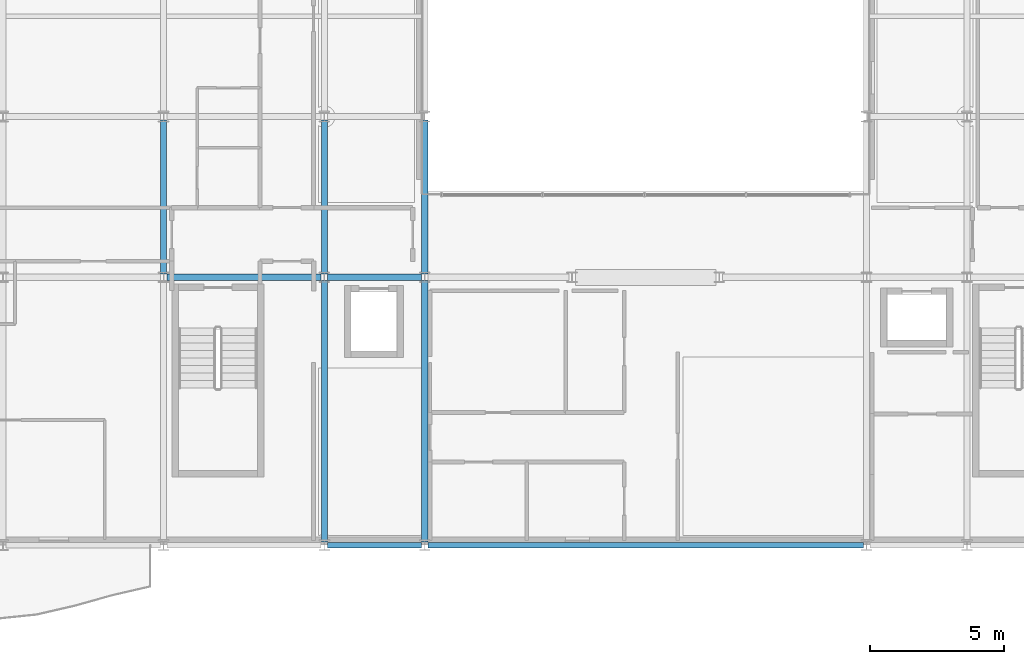
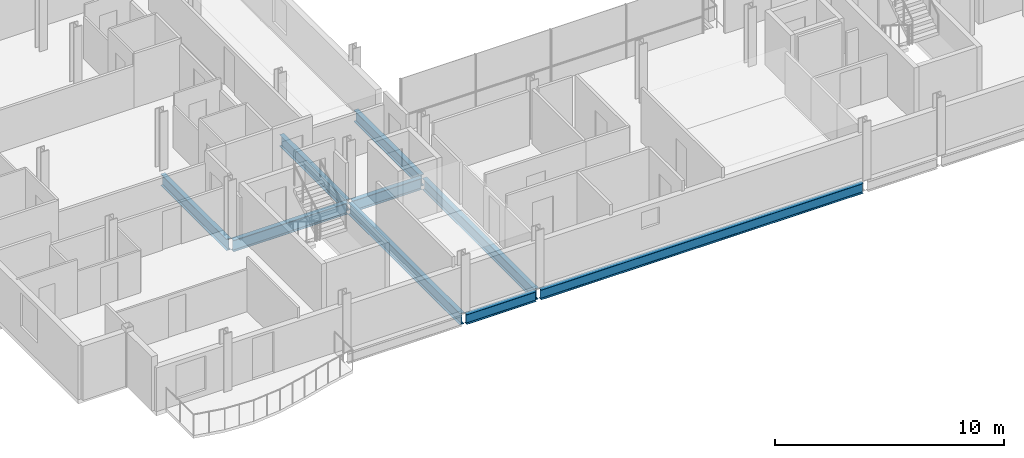
# One storey, part 5 of 41: 9 beams.
"""IFC4 building model written with IfcOpenShell, lengths in metres."""

from ifc_helpers import new_model, si_unit, direction, frame, origin, origin_2d, place, context, subcontext, project, spatial, i_section, extrude, material, material_profile, profile_set, type_object, element, save


model = new_model("IFC4")

# Units and contexts
model_context = context("Model", 3, precision=1e-05, world=origin(), true_north=direction((0.0, 1.0)))
body_context = subcontext(model_context, "Body", "Model", "MODEL_VIEW")
ifc_project = project(units=[si_unit("LENGTHUNIT", "METRE"), si_unit("AREAUNIT", "SQUARE_METRE"), si_unit("VOLUMEUNIT", "CUBIC_METRE"), si_unit("PLANEANGLEUNIT", "RADIAN"), si_unit("MASSUNIT", "GRAM", prefix="KILO")], contexts=[model_context])

# Site, building, storey
site_placement = place(None, origin())
site = spatial("IfcSite", under=ifc_project, at=site_placement, CompositionType="ELEMENT")
building_placement = place(site_placement, origin())
building = spatial("IfcBuilding", under=site, at=building_placement, Name="Brevholm Reach", CompositionType="ELEMENT")
storey_placement = place(building_placement, frame((0.0, 0.0, 169.699951171875)))
storey = spatial("IfcBuildingStorey", under=building, at=storey_placement, Name="L51", CompositionType="ELEMENT", Elevation=169.699951171875)

# Beams
ifc_material_1 = material(Name="Structural Steel S355J2", Category="steel")
ifc_material_profile_1 = material_profile(ifc_material_1, i_section(OverallWidth=0.209228515625, OverallDepth=0.533203125, WebThickness=0.010009765625, FlangeThickness=0.015625, FilletRadius=0.0126953125, at=origin_2d()), Name="UKB 533x210x92")
ifc_profile_set_1 = profile_set([ifc_material_profile_1], Name="Structural Steel S355J2")
beam_type_1 = type_object("IfcBeamType", Name="BM-SP533", PredefinedType="SPANDREL", material=ifc_profile_set_1)
beam_1_placement = place(storey_placement, frame((18.1201171875, 0.0, -0.486572265625), z_axis=(1.0, 0.0, 0.0), x_axis=(0.0, 1.0, 0.0)))
element("IfcBeam", 1, at=beam_1_placement, inside=storey, type_object=beam_type_1, Name="L51 SP-02 Framing Beam", PredefinedType="SPANDREL", context=body_context, shape_type="SweptSolid", body=[
    extrude(i_section(OverallWidth=0.209228515625, OverallDepth=0.533203125, WebThickness=0.010009765625, FlangeThickness=0.015625, FilletRadius=0.0126953125, at=origin_2d()), origin(), (0.0, 0.0, 1.0), 3.509765625),
])
beam_2_placement = place(storey_placement, frame((21.8701171875, 0.0, -0.486572265625), z_axis=(1.0, 0.0, 0.0), x_axis=(0.0, 1.0, 0.0)))
element("IfcBeam", 2, at=beam_2_placement, inside=storey, type_object=beam_type_1, Name="L51 SP-02 Framing Beam", PredefinedType="SPANDREL", context=body_context, shape_type="SweptSolid", body=[
    extrude(i_section(OverallWidth=0.209228515625, OverallDepth=0.533203125, WebThickness=0.010009765625, FlangeThickness=0.015625, FilletRadius=0.0126953125, at=origin_2d()), origin(), (0.0, 0.0, 1.0), 16.259765625),
])
ifc_material_2 = material(Name="Structural Steel S355J2", Category="steel")
ifc_material_profile_2 = material_profile(ifc_material_2, i_section(OverallWidth=0.22900390625, OverallDepth=0.6123046875, WebThickness=0.011962890625, FlangeThickness=0.01953125, FilletRadius=0.0126953125, at=origin_2d()), Name="UKB 610x229x125")
ifc_profile_set_2 = profile_set([ifc_material_profile_2], Name="Structural Steel S355J2")
beam_type_2 = type_object("IfcBeamType", Name="BM-SP610", PredefinedType="SPANDREL", material=ifc_profile_set_2)
beam_3_placement = place(storey_placement, frame((12.1201171875, 10.0, -0.526123046875), z_axis=(1.0, 0.0, 0.0), x_axis=(0.0, 1.0, 0.0)))
element("IfcBeam", 3, at=beam_3_placement, inside=storey, type_object=beam_type_2, Name="L51 SP-01 Framing Beam", PredefinedType="SPANDREL", context=body_context, shape_type="SweptSolid", body=[
    extrude(i_section(OverallWidth=0.22900390625, OverallDepth=0.6123046875, WebThickness=0.011962890625, FlangeThickness=0.01953125, FilletRadius=0.0126953125, at=origin_2d()), origin(), (0.0, 0.0, 1.0), 5.759765625),
])
beam_4_placement = place(storey_placement, frame((18.1201171875, 10.0, -0.526123046875), z_axis=(1.0, 0.0, 0.0), x_axis=(0.0, 1.0, 0.0)))
element("IfcBeam", 4, at=beam_4_placement, inside=storey, type_object=beam_type_2, Name="L51 SP-01 Framing Beam", PredefinedType="SPANDREL", context=body_context, shape_type="SweptSolid", body=[
    extrude(i_section(OverallWidth=0.22900390625, OverallDepth=0.6123046875, WebThickness=0.011962890625, FlangeThickness=0.01953125, FilletRadius=0.0126953125, at=origin_2d()), origin(), (0.0, 0.0, 1.0), 3.509765625),
])
beam_5_placement = place(storey_placement, frame((12.0, 10.1201171875, -0.526123046875), z_axis=(0.0, 1.0, 0.0), x_axis=(-1.0, 0.0, 0.0)))
element("IfcBeam", 5, at=beam_5_placement, inside=storey, type_object=beam_type_2, Name="L51 SP-01 Framing Beam", PredefinedType="SPANDREL", context=body_context, shape_type="SweptSolid", body=[
    extrude(i_section(OverallWidth=0.22900390625, OverallDepth=0.6123046875, WebThickness=0.011962890625, FlangeThickness=0.01953125, FilletRadius=0.0126953125, at=origin_2d()), origin(), (0.0, 0.0, 1.0), 5.759765625),
])
beam_6_placement = place(storey_placement, frame((18.0, 0.1201171875, -0.526123046875), z_axis=(0.0, 1.0, 0.0), x_axis=(-1.0, 0.0, 0.0)))
element("IfcBeam", 6, at=beam_6_placement, inside=storey, type_object=beam_type_2, Name="L51 SP-01 Framing Beam", PredefinedType="SPANDREL", context=body_context, shape_type="SweptSolid", body=[
    extrude(i_section(OverallWidth=0.22900390625, OverallDepth=0.6123046875, WebThickness=0.011962890625, FlangeThickness=0.01953125, FilletRadius=0.0126953125, at=origin_2d()), origin(), (0.0, 0.0, 1.0), 9.759765625),
])
beam_7_placement = place(storey_placement, frame((18.0, 10.1201171875, -0.526123046875), z_axis=(0.0, 1.0, 0.0), x_axis=(-1.0, 0.0, 0.0)))
element("IfcBeam", 7, at=beam_7_placement, inside=storey, type_object=beam_type_2, Name="L51 SP-01 Framing Beam", PredefinedType="SPANDREL", context=body_context, shape_type="SweptSolid", body=[
    extrude(i_section(OverallWidth=0.22900390625, OverallDepth=0.6123046875, WebThickness=0.011962890625, FlangeThickness=0.01953125, FilletRadius=0.0126953125, at=origin_2d()), origin(), (0.0, 0.0, 1.0), 5.759765625),
])
beam_8_placement = place(storey_placement, frame((21.75, 0.1201171875, -0.526123046875), z_axis=(0.0, 1.0, 0.0), x_axis=(-1.0, 0.0, 0.0)))
element("IfcBeam", 8, at=beam_8_placement, inside=storey, type_object=beam_type_2, Name="L51 SP-01 Framing Beam", PredefinedType="SPANDREL", context=body_context, shape_type="SweptSolid", body=[
    extrude(i_section(OverallWidth=0.22900390625, OverallDepth=0.6123046875, WebThickness=0.011962890625, FlangeThickness=0.01953125, FilletRadius=0.0126953125, at=origin_2d()), origin(), (0.0, 0.0, 1.0), 9.759765625),
])
beam_9_placement = place(storey_placement, frame((21.75, 10.1201171875, -0.526123046875), z_axis=(0.0, 1.0, 0.0), x_axis=(-1.0, 0.0, 0.0)))
element("IfcBeam", 9, at=beam_9_placement, inside=storey, type_object=beam_type_2, Name="L51 SP-01 Framing Beam", PredefinedType="SPANDREL", context=body_context, shape_type="SweptSolid", body=[
    extrude(i_section(OverallWidth=0.22900390625, OverallDepth=0.6123046875, WebThickness=0.011962890625, FlangeThickness=0.01953125, FilletRadius=0.0126953125, at=origin_2d()), origin(), (0.0, 0.0, 1.0), 5.759765625),
])

save(model, "model.ifc")
